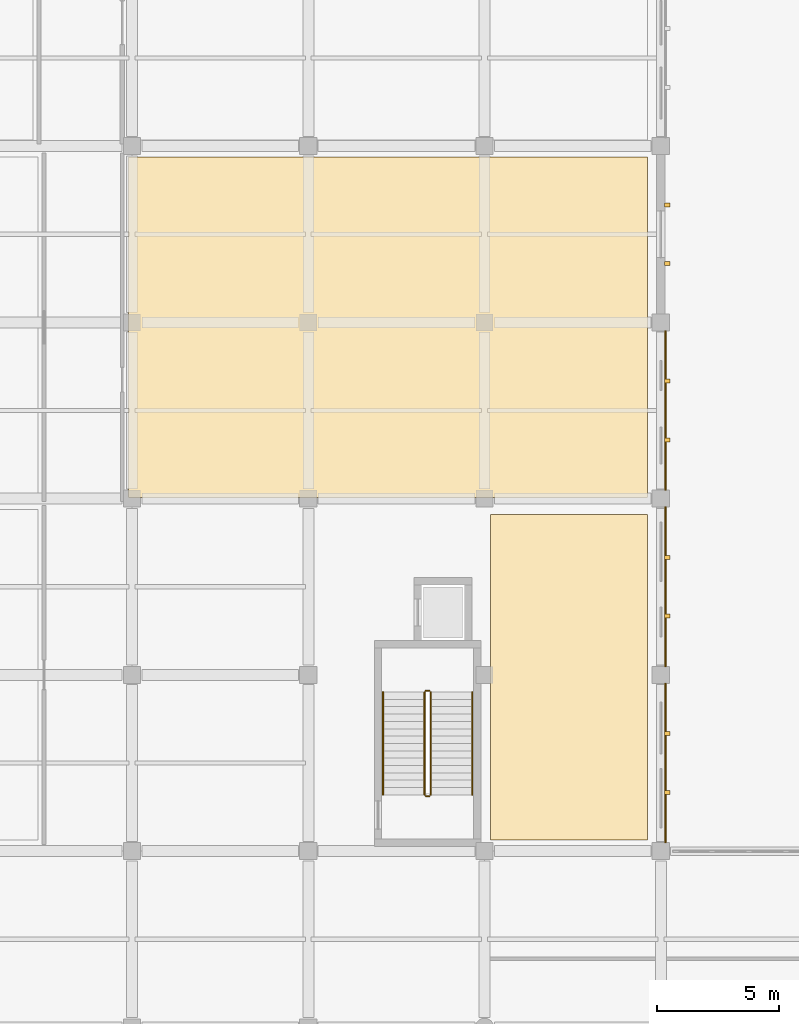
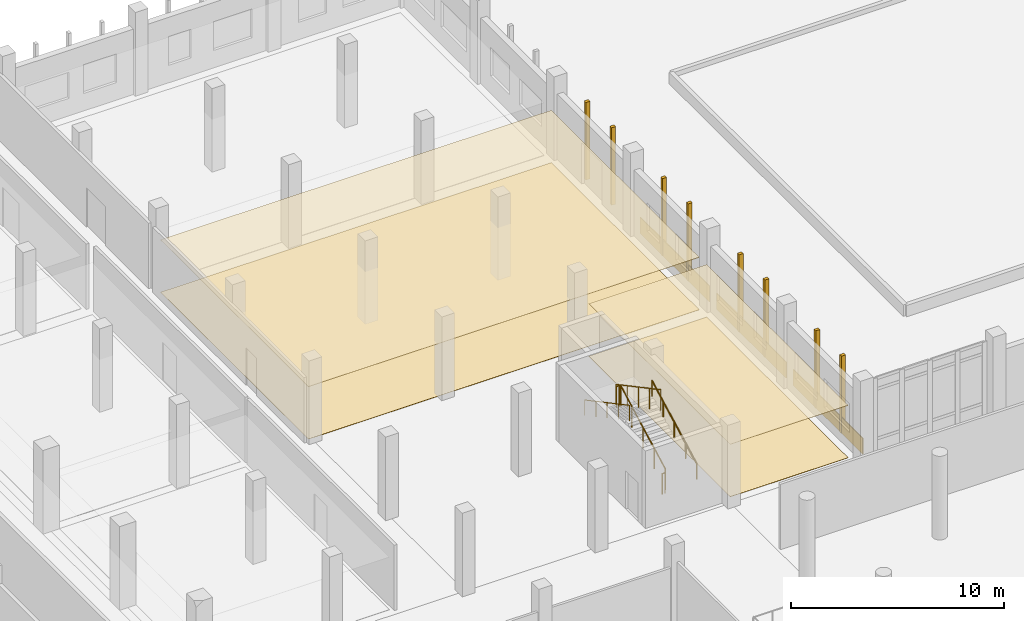
# One storey, part 52 of 59: 8 shading devices, 7 coverings, 6 railings.
"""IFC4 building model written with IfcOpenShell, lengths in metres."""

import ifcopenshell
import ifcopenshell.guid

model = None  # the IFC model being written
_history = None  # IfcOwnerHistory: only IFC2X3 demands one
_inside = {}  # id of a spatial element -> (the spatial element, [elements in it])
_under = {}  # id of a project, library or spatial element -> (it, [spatial elements below it])
_declared = {}  # id of a project -> (the project, [libraries it declares])
_typed = {}  # id of a type object -> (the type object, [elements of that type])
_made_of = {}  # id of a material, layer set ... -> (it, [elements and type objects made of it])


def new_model(schema):
    """Start an empty IFC model of exactly this schema.

    Asked for "IFC4X3", IfcOpenShell would pick the latest addendum, in which some entities
    have other attributes; the version numbers below select the first issue.
    IFC2X3 requires an IfcOwnerHistory on every rooted entity: one is made here for all.
    """
    global model, _history
    if schema == "IFC4X3":
        model = ifcopenshell.file(schema_version=(4, 3, 0, 0))
    else:
        model = ifcopenshell.file(schema=schema)
    _inside.clear()
    _under.clear()
    _declared.clear()
    _typed.clear()
    _made_of.clear()
    _history = None
    if model.schema == "IFC2X3":
        org = make("IfcOrganization", Name="unknown")
        user = make(
            "IfcPersonAndOrganization",
            ThePerson=make("IfcPerson", FamilyName="unknown"),
            TheOrganization=org,
        )
        app = make(
            "IfcApplication",
            ApplicationDeveloper=org,
            Version="unknown",
            ApplicationFullName="unknown",
            ApplicationIdentifier="unknown",
        )
        _history = make(
            "IfcOwnerHistory",
            OwningUser=user,
            OwningApplication=app,
            ChangeAction="ADDED",
            CreationDate=0,
        )
    return model


def make(cls, **values):
    """One entity of the class cls with the attributes given. An attribute that is None is left unset."""
    return model.create_entity(
        cls, **{name: value for name, value in values.items() if value is not None}
    )


def rooted(cls, **values):
    """An entity with a GlobalId (a new one), such as an element, a storey or a relation."""
    return make(cls, GlobalId=ifcopenshell.guid.new(), OwnerHistory=_history, **values)


def si_unit(unit_type, name, prefix=None):
    """IfcSIUnit, for example si_unit("LENGTHUNIT", "METRE", prefix="MILLI")."""
    return make("IfcSIUnit", UnitType=unit_type, Prefix=prefix, Name=name)


def assignment(units):
    """IfcUnitAssignment: the units of a project."""
    return None if units is None else make("IfcUnitAssignment", Units=units)


def point(xyz):
    """IfcCartesianPoint."""
    return None if xyz is None else make("IfcCartesianPoint", Coordinates=xyz)


def direction(xyz):
    """IfcDirection."""
    return None if xyz is None else make("IfcDirection", DirectionRatios=xyz)


def frame(location, z_axis=None, x_axis=None):
    """IfcAxis2Placement3D, a coordinate frame: its origin and axes. An axis left out is left unset."""
    return make(
        "IfcAxis2Placement3D",
        Location=point(location),
        Axis=direction(z_axis),
        RefDirection=direction(x_axis),
    )


def frame_2d(location, x_axis=None):
    """IfcAxis2Placement2D, a coordinate frame in the plane: its origin and x axis."""
    return make(
        "IfcAxis2Placement2D", Location=point(location), RefDirection=direction(x_axis)
    )


def origin():
    """The frame at (0, 0, 0) with its axes left unset."""
    return frame((0.0, 0.0, 0.0))


def origin_2d():
    """The frame at (0, 0) in the plane with its x axis left unset."""
    return frame_2d((0.0, 0.0))


def place(relative_to, where):
    """IfcLocalPlacement: puts the frame where relative to a parent placement (None: the world)."""
    return make(
        "IfcLocalPlacement", PlacementRelTo=relative_to, RelativePlacement=where
    )


def context(
    kind, dimensions, precision=None, world=None, true_north=None, identifier=None
):
    """IfcGeometricRepresentationContext, for example the 3D "Model" context."""
    return make(
        "IfcGeometricRepresentationContext",
        ContextIdentifier=identifier,
        ContextType=kind,
        CoordinateSpaceDimension=dimensions,
        Precision=precision,
        WorldCoordinateSystem=world,
        TrueNorth=true_north,
    )


def subcontext(parent, identifier, kind, view, scale=None):
    """IfcGeometricRepresentationSubContext, for example "Body" below "Model"."""
    return make(
        "IfcGeometricRepresentationSubContext",
        ContextIdentifier=identifier,
        ContextType=kind,
        ParentContext=parent,
        TargetScale=scale,
        TargetView=view,
    )


def project(units=None, contexts=None):
    """IfcProject with its units and contexts."""
    return rooted(
        "IfcProject",
        Name="project",
        RepresentationContexts=contexts,
        UnitsInContext=assignment(units),
    )


def spatial(cls, under=None, at=None, **own):
    """A site, building, storey or space (cls), placed at a placement, below another one or the project."""
    s = rooted(cls, ObjectPlacement=at, **own)
    if under is not None:
        _under.setdefault(under.id(), (under, []))[1].append(s)
    return s


def polyline(points):
    """IfcPolyline through the points."""
    return make("IfcPolyline", Points=[point(p) for p in points])


def profile(cls, at=None, kind="AREA", **sizes):
    """A parametric profile (cls). Its sizes go by their IFC names, for example OverallWidth=200.0."""
    return make(cls, ProfileType=kind, Position=at, **sizes)


def rectangle(**sizes):
    """IfcRectangleProfileDef."""
    return profile("IfcRectangleProfileDef", **sizes)


def circle(**sizes):
    """IfcCircleProfileDef."""
    return profile("IfcCircleProfileDef", **sizes)


def outline(outer, holes=None, kind="AREA"):
    """IfcArbitraryClosedProfileDef: a profile drawn as a closed curve; with holes, ...WithVoids."""
    if holes is None:
        return make("IfcArbitraryClosedProfileDef", ProfileType=kind, OuterCurve=outer)
    return make(
        "IfcArbitraryProfileDefWithVoids",
        ProfileType=kind,
        OuterCurve=outer,
        InnerCurves=holes,
    )


def extrude(swept, where, along, depth):
    """IfcExtrudedAreaSolid: the profile swept, set in the frame where, extruded along a direction by depth."""
    return make(
        "IfcExtrudedAreaSolid",
        SweptArea=swept,
        Position=where,
        ExtrudedDirection=direction(along),
        Depth=depth,
    )


def shape(context_of_items, identifier, shape_type, items):
    """IfcShapeRepresentation: the items that make up one representation, for example the "Body"."""
    return make(
        "IfcShapeRepresentation",
        ContextOfItems=context_of_items,
        RepresentationIdentifier=identifier,
        RepresentationType=shape_type,
        Items=items,
    )


def material(Name=None, Category=None):
    """IfcMaterial."""
    return make("IfcMaterial", Name=Name, Category=Category)


def layer(
    of_material, thickness, ventilated=None, Name=None, Category=None, Priority=None
):
    """IfcMaterialLayer: one layer of a wall or slab, of a material (None: an air gap)."""
    return make(
        "IfcMaterialLayer",
        Material=of_material,
        LayerThickness=thickness,
        IsVentilated=ventilated,
        Name=Name,
        Category=Category,
        Priority=Priority,
    )


def layer_set(layers, Name=None):
    """IfcMaterialLayerSet."""
    return make("IfcMaterialLayerSet", MaterialLayers=layers, LayerSetName=Name)


def made_of(thing, what):
    """Note that an element or type object is made of a material, layer set ...; save() writes the relation."""
    if what is not None:
        _made_of.setdefault(what.id(), (what, []))[1].append(thing)
    return thing


def type_object(cls, material=None, **own):
    """A type object (cls), such as IfcWallType, which elements share."""
    return made_of(rooted(cls, **own), material)


def element(
    cls,
    number,
    at=None,
    inside=None,
    cuts=None,
    type_object=None,
    material=None,
    context=None,
    identifier="Body",
    shape_type=None,
    held_by="IfcProductDefinitionShape",
    body=None,
    shapes=None,
    **own,
):
    """One element of the class cls, such as IfcWall. Its Tag is "e" and its number.

    at: its placement. inside: the storey or other place that contains it. cuts: it is an
    opening in that element (IfcRelVoidsElement). A single representation is given by context,
    identifier, shape_type and body (its items); several are given by shapes. held_by: the class
    of the entity that holds the representations. save() writes the other relations.
    """
    e = rooted(cls, Tag="e%d" % number, ObjectPlacement=at, **own)
    if body is not None:
        shapes = [shape(context, identifier, shape_type, body)]
    if shapes is not None:
        e.Representation = make(held_by, Representations=shapes)
    if inside is not None:
        _inside.setdefault(inside.id(), (inside, []))[1].append(e)
    if cuts is not None:
        rooted(
            "IfcRelVoidsElement", RelatingBuildingElement=cuts, RelatedOpeningElement=e
        )
    if type_object is not None:
        _typed.setdefault(type_object.id(), (type_object, []))[1].append(e)
    return made_of(e, material)


def aggregate(whole, parts):
    """IfcRelAggregates: a whole, such as a stair, and the parts it consists of."""
    return rooted("IfcRelAggregates", RelatingObject=whole, RelatedObjects=parts)


def save(model, path):
    """Write the relations noted so far, then the file.

    IfcRelAggregates (storeys below a building ...), IfcRelContainedInSpatialStructure (elements
    in a storey), IfcRelDefinesByType, IfcRelAssociatesMaterial and IfcRelDeclares: one each for
    every whole, place, type object, material and project.
    """
    for whole, parts in _under.values():
        aggregate(whole, parts)
    for where, things in _inside.values():
        rooted(
            "IfcRelContainedInSpatialStructure",
            RelatedElements=things,
            RelatingStructure=where,
        )
    for kind, things in _typed.values():
        rooted("IfcRelDefinesByType", RelatedObjects=things, RelatingType=kind)
    for what, things in _made_of.values():
        rooted("IfcRelAssociatesMaterial", RelatedObjects=things, RelatingMaterial=what)
    for by, libraries in _declared.values():
        rooted("IfcRelDeclares", RelatingContext=by, RelatedDefinitions=libraries)
    model.write(path)


model = new_model("IFC4")

# Units and contexts
model_context = context("Model", 3, precision=1e-05, world=origin(), true_north=direction((0.0, 1.0)))
body_context = subcontext(model_context, "Body", "Model", "MODEL_VIEW")
ifc_project = project(units=[si_unit("LENGTHUNIT", "METRE"), si_unit("AREAUNIT", "SQUARE_METRE"), si_unit("VOLUMEUNIT", "CUBIC_METRE"), si_unit("PLANEANGLEUNIT", "RADIAN"), si_unit("MASSUNIT", "GRAM", prefix="KILO")], contexts=[model_context])

# Site, building, storey
site_placement = place(None, origin())
site = spatial("IfcSite", under=ifc_project, at=site_placement, CompositionType="ELEMENT")
building_placement = place(site_placement, origin())
building = spatial("IfcBuilding", under=site, at=building_placement, Name="Valkovuoma Quantum and Materials Research Institute", CompositionType="ELEMENT")
storey_placement = place(building_placement, origin())
storey = spatial("IfcBuildingStorey", under=building, at=storey_placement, Name="L00", CompositionType="ELEMENT", Elevation=0.0)

# Coverings
ifc_material_1 = material(Name="Cleanable acoustic mineral-fibre suspended ceiling", Category="masonry")
ifc_layer_1 = layer(ifc_material_1, 0.02490234375)
ifc_layer_set_1 = layer_set([ifc_layer_1], Name="Cleanable acoustic mineral-fibre suspended ceiling")
covering_type_1 = type_object("IfcCoveringType", Name="Cov-CEIL-01", PredefinedType="CEILING", material=ifc_layer_set_1)
covering_1_placement = place(storey_placement, frame((0.0, 0.0, 3.0)))
element("IfcCovering", 1, at=covering_1_placement, inside=storey, type_object=covering_type_1, Name="L00 acoustic ceiling 0016", PredefinedType="CEILING", context=body_context, shape_type="SweptSolid", body=[
    extrude(outline(polyline([(28.64990234375, 79.25), (49.85009765625, 79.25), (49.85009765625, 93.14990234375), (28.64990234375, 93.14990234375), (28.64990234375, 79.25)])), origin(), (0.0, 0.0, 1.0), 0.02490234375),
])
covering_2_placement = place(storey_placement, frame((0.0, 0.0, 3.0)))
element("IfcCovering", 2, at=covering_2_placement, inside=storey, type_object=covering_type_1, Name="L00 acoustic ceiling 0018", PredefinedType="CEILING", context=body_context, shape_type="SweptSolid", body=[
    extrude(outline(polyline([(43.449951171875, 65.25), (49.85009765625, 65.25), (49.85009765625, 78.550048828125), (43.449951171875, 78.550048828125), (43.449951171875, 65.25)])), origin(), (0.0, 0.0, 1.0), 0.02490234375),
])
ifc_material_2 = material(Name="Seamless dissipative laboratory resin flooring", Category="masonry")
ifc_layer_2 = layer(ifc_material_2, 0.014892578125)
ifc_layer_set_2 = layer_set([ifc_layer_2], Name="Seamless dissipative laboratory resin flooring")
covering_type_2 = type_object("IfcCoveringType", Name="Cov-FLOR-01", PredefinedType="FLOORING", material=ifc_layer_set_2)
covering_3_placement = place(storey_placement, origin())
element("IfcCovering", 3, at=covering_3_placement, inside=storey, type_object=covering_type_2, Name="L00 resin flooring 0016", PredefinedType="FLOORING", context=body_context, shape_type="SweptSolid", body=[
    extrude(outline(polyline([(28.64990234375, 79.25), (49.85009765625, 79.25), (49.85009765625, 93.14990234375), (28.64990234375, 93.14990234375), (28.64990234375, 79.25)])), origin(), (0.0, 0.0, 1.0), 0.014892578125),
])
covering_4_placement = place(storey_placement, origin())
element("IfcCovering", 4, at=covering_4_placement, inside=storey, type_object=covering_type_2, Name="L00 resin flooring 0018", PredefinedType="FLOORING", context=body_context, shape_type="SweptSolid", body=[
    extrude(outline(polyline([(43.449951171875, 65.25), (49.85009765625, 65.25), (49.85009765625, 78.550048828125), (43.449951171875, 78.550048828125), (43.449951171875, 65.25)])), origin(), (0.0, 0.0, 1.0), 0.014892578125),
])
ifc_material_3 = material(Name="Thermally modified Nordic pine timber rainscreen cladding", Category="wood")
ifc_layer_3 = layer(ifc_material_3, 0.044921875)
ifc_layer_set_3 = layer_set([ifc_layer_3], Name="Thermally modified Nordic pine timber rainscreen cladding")
covering_type_3 = type_object("IfcCoveringType", Name="Cov-TIMB-01", PredefinedType="CLADDING", material=ifc_layer_set_3)
for number, where, z_axis, x_axis, name in (
    (5, (50.590087890625, 68.39990234375, 0.02001953125), (0.0, 0.0, 1.0), (1.0, 0.0, 0.0), "L00 Nordic pine spandrel E-005"),
    (6, (50.590087890625, 75.60009765625, 0.02001953125), (0.0, 0.0, 1.0), (1.0, 0.0, 0.0), "L00 Nordic pine spandrel E-006"),
    (7, (50.590087890625, 82.800048828125, 0.02001953125), (0.0, 0.0, 1.0), (1.0, 0.0, 0.0), "L00 Nordic pine spandrel E-007"),
):
    element("IfcCovering", number, at=place(storey_placement, frame(where, z_axis=z_axis, x_axis=x_axis)), inside=storey, type_object=covering_type_3, Name=name, PredefinedType="CLADDING", context=body_context, shape_type="SweptSolid", body=[
        extrude(rectangle(XDim=0.044921875, YDim=6.52001953125, at=origin_2d()), origin(), (0.0, 0.0, 1.0), 0.919921875),
    ])

# Railings
ifc_material_4 = material(Name="Painted steel stair balustrade", Category="steel")
railing_type_1 = type_object("IfcRailingType", Name="Rail-GRD-ST", PredefinedType="BALUSTRADE", material=ifc_material_4)
railing_1_placement = place(storey_placement, frame((41.0, 67.10009765625, 0.159912109375)))
element("IfcRailing", 8, at=railing_1_placement, inside=storey, type_object=railing_type_1, Name="L00 ST-4 stair guard 1", PredefinedType="BALUSTRADE", context=body_context, shape_type="SweptSolid", body=[
    extrude(circle(Radius=0.02392578125, at=origin_2d()), frame((0.0, 0.0, 1.17578125), z_axis=(0.0, 0.882351521365, 0.470590897432), x_axis=(-1.0, 0.0, 0.0)), (0.0, 0.0, 1.0), 4.760009765625),
    extrude(circle(Radius=0.02099609375, at=origin_2d()), origin(), (0.0, 0.0, 1.0), 1.15185546875),
    extrude(circle(Radius=0.02099609375, at=origin_2d()), frame((0.0, 1.050048828125, 0.56005859375)), (0.0, 0.0, 1.0), 1.15185546875),
    extrude(circle(Radius=0.02099609375, at=origin_2d()), frame((0.0, 2.10009765625, 1.1201171875)), (0.0, 0.0, 1.0), 1.15185546875),
    extrude(circle(Radius=0.02099609375, at=origin_2d()), frame((0.0, 3.14990234375, 1.679931640625)), (0.0, 0.0, 1.0), 1.15185546875),
    extrude(circle(Radius=0.02099609375, at=origin_2d()), frame((0.0, 4.199951171875, 2.239990234375)), (0.0, 0.0, 1.0), 1.15185546875),
])
railing_2_placement = place(storey_placement, frame((40.949951171875, 71.35009765625, 2.39990234375)))
element("IfcRailing", 9, at=railing_2_placement, inside=storey, type_object=railing_type_1, Name="L00 ST-4 stair guard 2", PredefinedType="BALUSTRADE", context=body_context, shape_type="SweptSolid", body=[
    extrude(circle(Radius=0.02392578125, at=origin_2d()), frame((0.0, 0.0, 1.17578125), z_axis=(-1.0, 0.0, 0.0), x_axis=(0.0, -1.0, 0.0)), (0.0, 0.0, 1.0), 0.14990234375),
    extrude(circle(Radius=0.02099609375, at=origin_2d()), origin(), (0.0, 0.0, 1.0), 1.15185546875),
    extrude(circle(Radius=0.02099609375, at=origin_2d()), frame((-0.14990234375, 0.0, 0.0)), (0.0, 0.0, 1.0), 1.15185546875),
])
railing_3_placement = place(storey_placement, frame((40.75, 71.300048828125, 2.56005859375)))
element("IfcRailing", 10, at=railing_3_placement, inside=storey, type_object=railing_type_1, Name="L00 ST-4 stair guard 3", PredefinedType="BALUSTRADE", context=body_context, shape_type="SweptSolid", body=[
    extrude(circle(Radius=0.02392578125, at=origin_2d()), frame((0.0, 0.0, 1.17578125), z_axis=(0.0, -0.882351521365, 0.470590897432), x_axis=(1.0, 0.0, 0.0)), (0.0, 0.0, 1.0), 4.760009765625),
    extrude(circle(Radius=0.02099609375, at=origin_2d()), origin(), (0.0, 0.0, 1.0), 1.15185546875),
    extrude(circle(Radius=0.02099609375, at=origin_2d()), frame((0.0, -1.050048828125, 0.56005859375)), (0.0, 0.0, 1.0), 1.15185546875),
    extrude(circle(Radius=0.02099609375, at=origin_2d()), frame((0.0, -2.10009765625, 1.1201171875)), (0.0, 0.0, 1.0), 1.15185546875),
    extrude(circle(Radius=0.02099609375, at=origin_2d()), frame((0.0, -3.14990234375, 1.679931640625)), (0.0, 0.0, 1.0), 1.15185546875),
    extrude(circle(Radius=0.02099609375, at=origin_2d()), frame((0.0, -4.199951171875, 2.239990234375)), (0.0, 0.0, 1.0), 1.15185546875),
])
railing_4_placement = place(storey_placement, frame((40.949951171875, 67.050048828125, 0.0)))
element("IfcRailing", 11, at=railing_4_placement, inside=storey, type_object=railing_type_1, Name="L00 ST-4 stair guard 4", PredefinedType="BALUSTRADE", context=body_context, shape_type="SweptSolid", body=[
    extrude(circle(Radius=0.02392578125, at=origin_2d()), frame((0.0, 0.0, 1.17578125), z_axis=(-1.0, 0.0, 0.0), x_axis=(0.0, -1.0, 0.0)), (0.0, 0.0, 1.0), 0.14990234375),
    extrude(circle(Radius=0.02099609375, at=origin_2d()), origin(), (0.0, 0.0, 1.0), 1.15185546875),
    extrude(circle(Radius=0.02099609375, at=origin_2d()), frame((-0.14990234375, 0.0, 0.0)), (0.0, 0.0, 1.0), 1.15185546875),
])
ifc_material_5 = material(Name="Brushed stainless steel handrail", Category="steel")
railing_type_2 = type_object("IfcRailingType", Name="Rail-HR-ST", PredefinedType="HANDRAIL", material=ifc_material_5)
railing_5_placement = place(storey_placement, frame((42.699951171875, 67.10009765625, 0.159912109375)))
element("IfcRailing", 12, at=railing_5_placement, inside=storey, type_object=railing_type_2, Name="L00 ST-4 stair handrail 1", PredefinedType="HANDRAIL", context=body_context, shape_type="SweptSolid", body=[
    extrude(circle(Radius=0.02392578125, at=origin_2d()), frame((0.0, 0.0, 0.8759765625), z_axis=(0.0, 0.882351521365, 0.470590897432), x_axis=(-1.0, 0.0, 0.0)), (0.0, 0.0, 1.0), 4.760009765625),
    extrude(circle(Radius=0.02099609375, at=origin_2d()), origin(), (0.0, 0.0, 1.0), 0.851806640625),
    extrude(circle(Radius=0.02099609375, at=origin_2d()), frame((0.0, 1.050048828125, 0.56005859375)), (0.0, 0.0, 1.0), 0.851806640625),
    extrude(circle(Radius=0.02099609375, at=origin_2d()), frame((0.0, 2.10009765625, 1.1201171875)), (0.0, 0.0, 1.0), 0.851806640625),
    extrude(circle(Radius=0.02099609375, at=origin_2d()), frame((0.0, 3.14990234375, 1.679931640625)), (0.0, 0.0, 1.0), 0.851806640625),
    extrude(circle(Radius=0.02099609375, at=origin_2d()), frame((0.0, 4.199951171875, 2.239990234375)), (0.0, 0.0, 1.0), 0.851806640625),
])
railing_6_placement = place(storey_placement, frame((39.050048828125, 71.300048828125, 2.56005859375)))
element("IfcRailing", 13, at=railing_6_placement, inside=storey, type_object=railing_type_2, Name="L00 ST-4 stair handrail 2", PredefinedType="HANDRAIL", context=body_context, shape_type="SweptSolid", body=[
    extrude(circle(Radius=0.02392578125, at=origin_2d()), frame((0.0, 0.0, 0.8759765625), z_axis=(0.0, -0.882351521365, 0.470590897432), x_axis=(1.0, 0.0, 0.0)), (0.0, 0.0, 1.0), 4.760009765625),
    extrude(circle(Radius=0.02099609375, at=origin_2d()), origin(), (0.0, 0.0, 1.0), 0.851806640625),
    extrude(circle(Radius=0.02099609375, at=origin_2d()), frame((0.0, -1.050048828125, 0.56005859375)), (0.0, 0.0, 1.0), 0.851806640625),
    extrude(circle(Radius=0.02099609375, at=origin_2d()), frame((0.0, -2.10009765625, 1.1201171875)), (0.0, 0.0, 1.0), 0.851806640625),
    extrude(circle(Radius=0.02099609375, at=origin_2d()), frame((0.0, -3.14990234375, 1.679931640625)), (0.0, 0.0, 1.0), 0.851806640625),
    extrude(circle(Radius=0.02099609375, at=origin_2d()), frame((0.0, -4.199951171875, 2.239990234375)), (0.0, 0.0, 1.0), 0.851806640625),
])

# Shading devices
ifc_material_6 = material(Name="Powder-coated white perforated architectural aluminium panel", Category="aluminium")
ifc_layer_4 = layer(ifc_material_6, 0.050048828125)
ifc_layer_set_4 = layer_set([ifc_layer_4], Name="Powder-coated white perforated architectural aluminium panel")
shading_device_type = type_object("IfcShadingDeviceType", Name="Screen-SCR-MID", PredefinedType="JALOUSIE", material=ifc_layer_set_4)
for number, where, z_axis, x_axis, name in (
    (14, (50.669921875, 67.199951171875, 0.0), (0.0, 0.0, 1.0), (1.0, 0.0, 0.0), "L00 cleanroom facade vertical fin E-0014"),
    (15, (50.669921875, 69.60009765625, 0.0), (0.0, 0.0, 1.0), (1.0, 0.0, 0.0), "L00 cleanroom facade vertical fin E-0015"),
    (16, (50.669921875, 74.39990234375, 0.0), (0.0, 0.0, 1.0), (1.0, 0.0, 0.0), "L00 cleanroom facade vertical fin E-0016"),
    (17, (50.669921875, 76.800048828125, 0.0), (0.0, 0.0, 1.0), (1.0, 0.0, 0.0), "L00 cleanroom facade vertical fin E-0017"),
    (18, (50.669921875, 81.60009765625, 0.0), (0.0, 0.0, 1.0), (1.0, 0.0, 0.0), "L00 cleanroom facade vertical fin E-0018"),
    (19, (50.669921875, 84.0, 0.0), (0.0, 0.0, 1.0), (1.0, 0.0, 0.0), "L00 cleanroom facade vertical fin E-0019"),
    (20, (50.669921875, 88.800048828125, 0.0), (0.0, 0.0, 1.0), (1.0, 0.0, 0.0), "L00 cleanroom facade vertical fin E-0020"),
    (21, (50.669921875, 91.199951171875, 0.0), (0.0, 0.0, 1.0), (1.0, 0.0, 0.0), "L00 cleanroom facade vertical fin E-0021"),
):
    element("IfcShadingDevice", number, at=place(storey_placement, frame(where, z_axis=z_axis, x_axis=x_axis)), inside=storey, type_object=shading_device_type, Name=name, PredefinedType="JALOUSIE", context=body_context, shape_type="SweptSolid", body=[
        extrude(rectangle(XDim=0.219970703125, YDim=0.159912109375, at=origin_2d()), origin(), (0.0, 0.0, 1.0), 4.449951171875),
    ])

save(model, "model.ifc")
